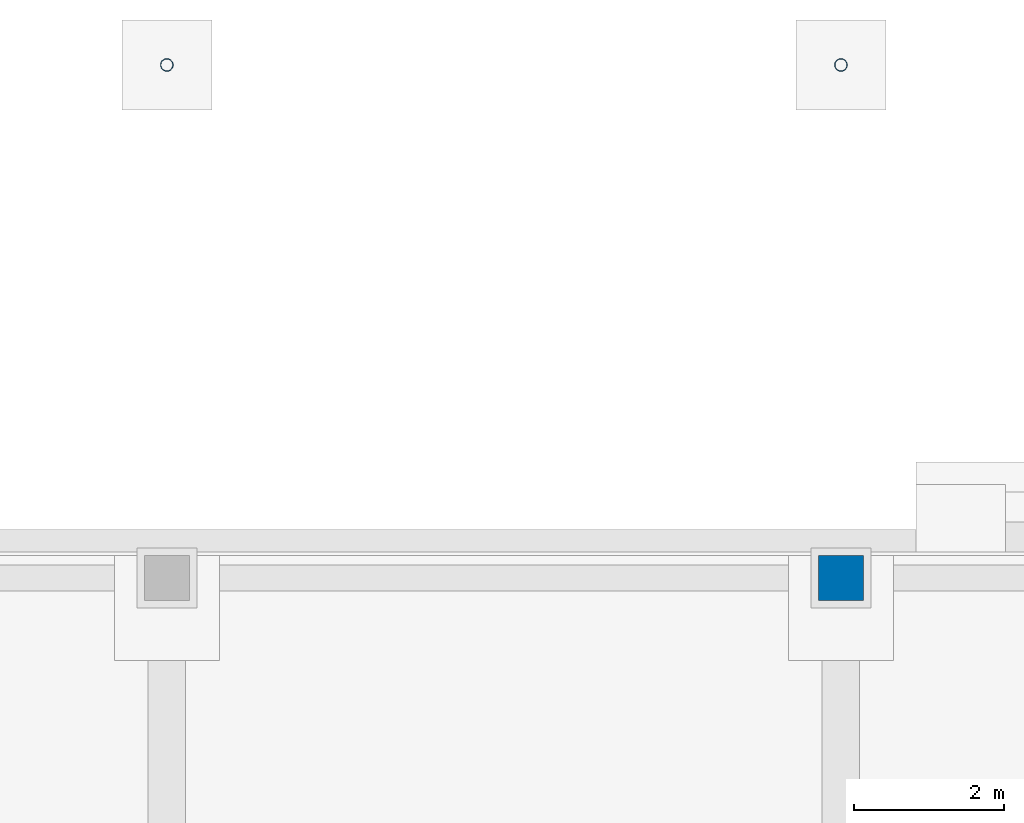
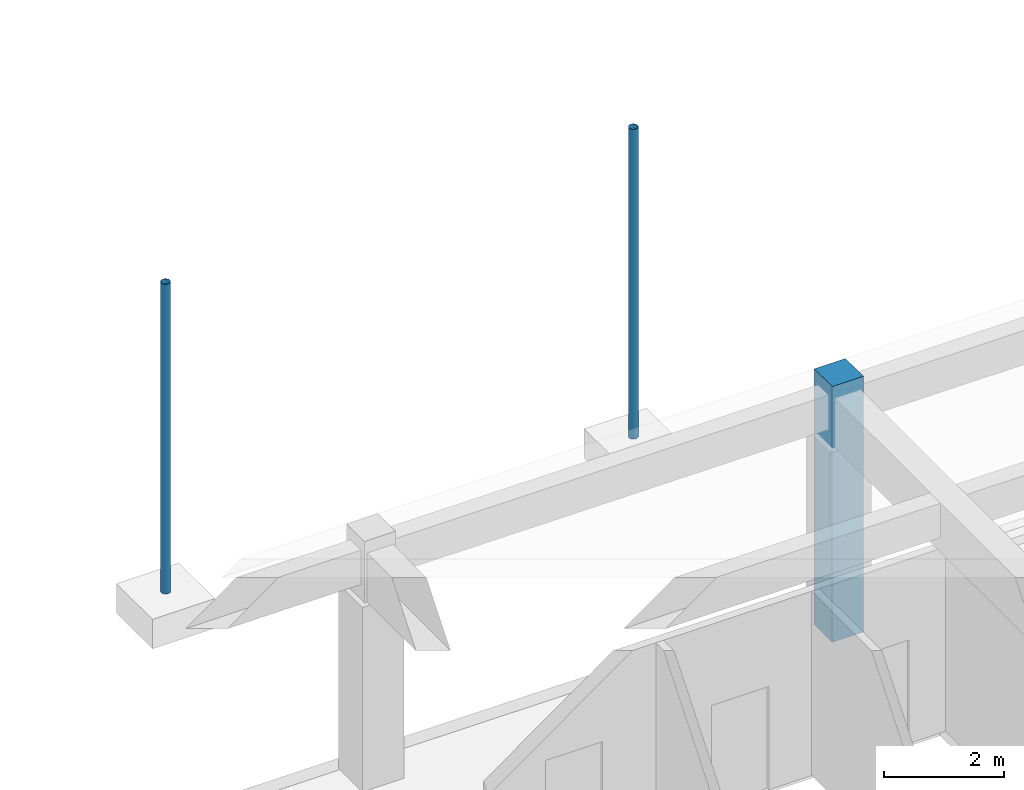
# One storey, part 8 of 77: 3 columns.
"""IFC4 building model written with IfcOpenShell, lengths in metres."""

from ifc_helpers import new_model, si_unit, direction, frame, origin, origin_2d, place, context, subcontext, project, spatial, rectangle, hollow_circle, extrude, material, material_profile, profile_set, type_object, element, save


model = new_model("IFC4")

# Units and contexts
model_context = context("Model", 3, precision=1e-05, world=origin(), true_north=direction((0.0, 1.0)))
body_context = subcontext(model_context, "Body", "Model", "MODEL_VIEW")
ifc_project = project(units=[si_unit("LENGTHUNIT", "METRE"), si_unit("AREAUNIT", "SQUARE_METRE"), si_unit("VOLUMEUNIT", "CUBIC_METRE"), si_unit("PLANEANGLEUNIT", "RADIAN"), si_unit("MASSUNIT", "GRAM", prefix="KILO")], contexts=[model_context])

# Site, building, storey
site_placement = place(None, origin())
site = spatial("IfcSite", under=ifc_project, at=site_placement, CompositionType="ELEMENT")
building_placement = place(site_placement, origin())
building = spatial("IfcBuilding", under=site, at=building_placement, Name="Aravalli Gate Trade Fair Centre", CompositionType="ELEMENT")
storey_placement = place(building_placement, origin())
storey = spatial("IfcBuildingStorey", under=building, at=storey_placement, Name="L00", CompositionType="ELEMENT", Elevation=0.0)

# Columns
ifc_material_1 = material(Name="Concrete M45", Category="concrete")
ifc_material_profile_1 = material_profile(ifc_material_1, rectangle(XDim=0.60009765625, YDim=0.60009765625, at=origin_2d()), Name="Arcade pier 600 x 600")
ifc_profile_set_1 = profile_set([ifc_material_profile_1], Name="Concrete M45")
column_type_1 = type_object("IfcColumnType", Name="Arcade pier 600 x 600", PredefinedType="COLUMN", material=ifc_profile_set_1)
column_placement = place(storey_placement, frame((69.0, 144.64990234375, -0.199951171875), z_axis=(0.0, 0.0, 1.0), x_axis=(1.0, 0.0, 0.0)))
element("IfcColumn", 1, at=column_placement, inside=storey, type_object=column_type_1, Name="Arcade pier N08 L00", PredefinedType="COLUMN", context=body_context, shape_type="SweptSolid", body=[
    extrude(rectangle(XDim=0.60009765625, YDim=0.60009765625, at=origin_2d()), origin(), (0.0, 0.0, 1.0), 5.199951171875),
])
ifc_material_2 = material(Name="Steel E350", Category="steel")
ifc_material_profile_2 = material_profile(ifc_material_2, hollow_circle(Radius=0.084228515625, WallThickness=0.0048828125, at=origin_2d()), Name="CHS 168.3x5")
ifc_profile_set_2 = profile_set([ifc_material_profile_2], Name="Steel E350")
column_type_2 = type_object("IfcColumnType", Name="CHS 168.3x5 canopy post", PredefinedType="COLUMN", material=ifc_profile_set_2)
for number, where, z_axis, x_axis, name in (
    (2, (60.0, 151.5, -0.449951171875), (0.0, 0.0, 1.0), (1.0, 0.0, 0.0), "Entrance canopy post 60"),
    (3, (69.0, 151.5, -0.449951171875), (0.0, 0.0, 1.0), (1.0, 0.0, 0.0), "Entrance canopy post 69"),
):
    element("IfcColumn", number, at=place(storey_placement, frame(where, z_axis=z_axis, x_axis=x_axis)), inside=storey, type_object=column_type_2, Name=name, PredefinedType="COLUMN", context=body_context, shape_type="SweptSolid", body=[
        extrude(hollow_circle(Radius=0.084228515625, WallThickness=0.0048828125, at=origin_2d()), origin(), (0.0, 0.0, 1.0), 6.300048828125),
    ])

save(model, "model.ifc")
